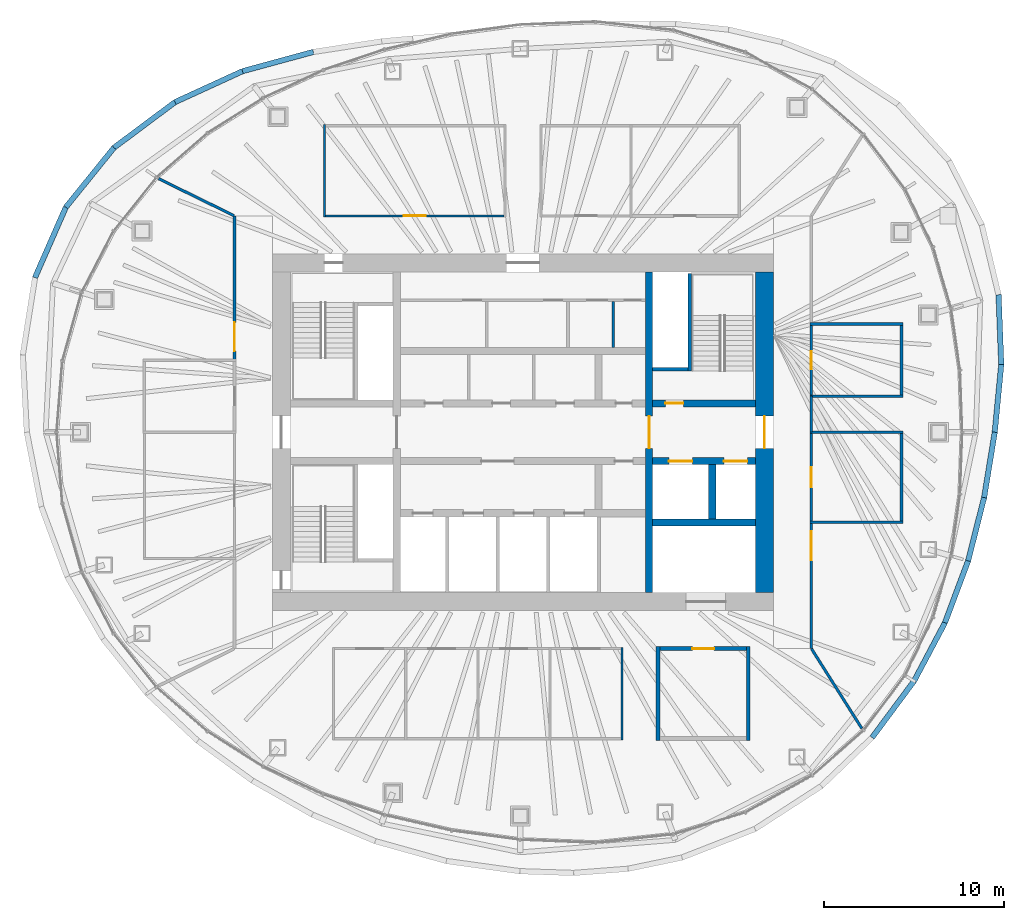
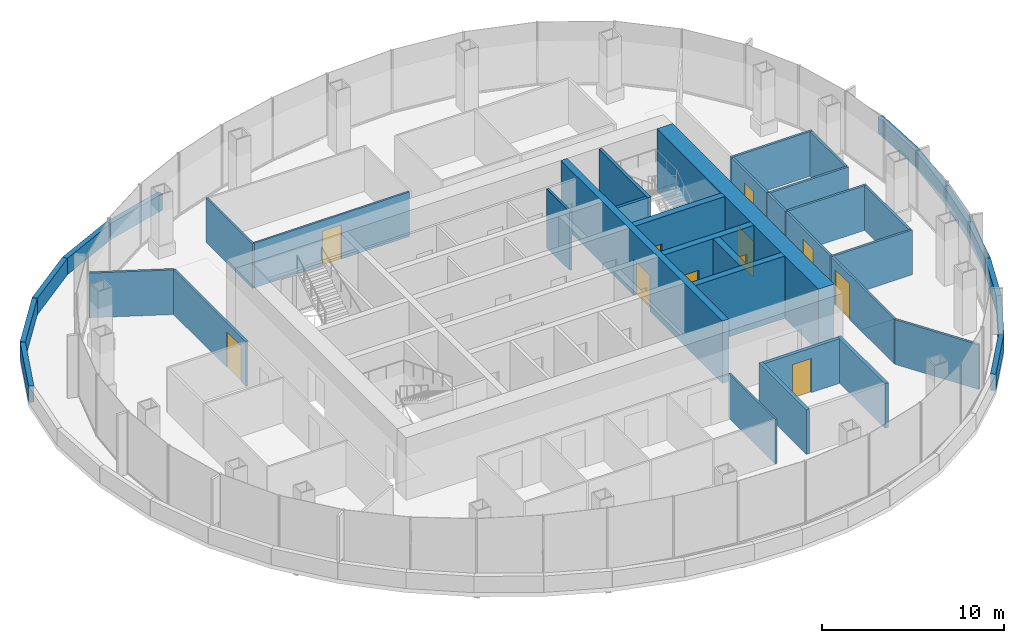
# One storey, part 11 of 13: 40 walls, 11 doors, 11 openings.
"""IFC4 building model written with IfcOpenShell, lengths in metres."""

from ifc_helpers import new_model, si_unit, direction, frame, frame_2d, origin, place, context, subcontext, project, spatial, rectangle, extrude, material, layer, layer_set, type_object, element, fill, save


model = new_model("IFC4")

# Units and contexts
model_context = context("Model", 3, precision=1e-05, world=origin(), true_north=direction((0.0, 1.0)))
body_context = subcontext(model_context, "Body", "Model", "MODEL_VIEW")
ifc_project = project(units=[si_unit("LENGTHUNIT", "METRE"), si_unit("AREAUNIT", "SQUARE_METRE"), si_unit("VOLUMEUNIT", "CUBIC_METRE"), si_unit("PLANEANGLEUNIT", "RADIAN"), si_unit("MASSUNIT", "GRAM", prefix="KILO")], contexts=[model_context])

# Site, building, storey
site_placement = place(None, origin())
site = spatial("IfcSite", under=ifc_project, at=site_placement, CompositionType="ELEMENT")
building_placement = place(site_placement, origin())
building = spatial("IfcBuilding", under=site, at=building_placement, Name="Ghaith Harvest Tower", CompositionType="ELEMENT")
storey_placement = place(building_placement, frame((0.0, 0.0, 271.199951171875)))
storey = spatial("IfcBuildingStorey", under=building, at=storey_placement, Name="L60", CompositionType="ELEMENT", Elevation=271.199951171875)

# Walls
ifc_material_1 = material(Name="Concrete blockwork, 1-hour", Category="masonry")
ifc_layer_1 = layer(ifc_material_1, 0.215087890625)
ifc_layer_set_1 = layer_set([ifc_layer_1], Name="BLOCKWORK WALL 215")
wall_type_1 = type_object("IfcWallType", Name="BLOCKWORK WALL 215", PredefinedType="PARTITIONING", material=ifc_layer_set_1)
for number, where, z_axis, x_axis, name in (
    (1, (7.5, -11.892578125, 0.0), (0.0, 0.0, 1.0), (0.0, -1.0, 0.0), "Partition L60 row S4 cross wall 1"),
    (2, (12.5, -11.892578125, 0.0), (0.0, 0.0, 1.0), (0.0, -1.0, 0.0), "Partition L60 row S4 cross wall 2"),
):
    element("IfcWall", number, at=place(storey_placement, frame(where, z_axis=z_axis, x_axis=x_axis)), inside=storey, type_object=wall_type_1, Name=name, PredefinedType="PARTITIONING", context=body_context, shape_type="SweptSolid", body=[
        extrude(rectangle(XDim=5.21484375, YDim=0.215087890625, at=frame_2d((2.607421875, 0.0))), origin(), (0.0, 0.0, 1.0), 3.0),
    ])

# Wall, opening, door
wall_1_placement = place(storey_placement, frame((7.607421875, -12.0, 0.0), z_axis=(0.0, 0.0, 1.0), x_axis=(1.0, 0.0, 0.0)))
wall_1 = element("IfcWall", 3, at=wall_1_placement, inside=storey, type_object=wall_type_1, Name="Partition L60-08", PredefinedType="PARTITIONING", context=body_context, shape_type="SweptSolid", body=[
    extrude(rectangle(XDim=4.78515625, YDim=0.215087890625, at=frame_2d((2.392578125, 0.0))), origin(), (0.0, 0.0, 1.0), 3.0),
])
opening_1_placement = place(wall_1_placement, frame((1.79248046875, 0.0, 0.0)))
opening_1 = element("IfcOpeningElement", 4, at=opening_1_placement, cuts=wall_1, Name="Opening 60-033", PredefinedType="OPENING", context=body_context, shape_type="SweptSolid", body=[
    extrude(rectangle(XDim=1.199951171875, YDim=2.300048828125, at=frame_2d((0.60009765625, 1.14990234375))), frame((0.0, 0.11767578125, 0.0), z_axis=(0.0, -1.0, 0.0), x_axis=(1.0, 0.0, 0.0)), (0.0, 0.0, 1.0), 0.235107421875),
])
ifc_material_2 = material(Name="Timber door with vision panel", Category="wood")
door_type_1 = type_object("IfcDoorType", Name="D15 LABORATORY 1200x2300", OperationType="SINGLE_SWING_LEFT", PredefinedType="DOOR", material=ifc_material_2)
door_1_placement = place(opening_1_placement, origin())
door_1 = element("IfcDoor", 5, at=door_1_placement, inside=storey, type_object=door_type_1, Name="Autoclave room door", OperationType="SINGLE_SWING_LEFT", OverallHeight=2.300048828125, OverallWidth=1.199951171875, PredefinedType="DOOR", context=body_context, shape_type="SweptSolid", body=[
    extrude(rectangle(XDim=1.199951171875, YDim=2.300048828125, at=frame_2d((0.60009765625, 1.14990234375))), frame((0.0, 0.02490234375, 0.0), z_axis=(0.0, -1.0, 0.0), x_axis=(1.0, 0.0, 0.0)), (0.0, 0.0, 1.0), 0.050048828125),
])
fill(opening_1, door_1)

# Wall
ifc_material_3 = material(Name="Concrete blockwork, fair-faced", Category="masonry")
ifc_layer_2 = layer(ifc_material_3, 0.139892578125)
ifc_layer_set_2 = layer_set([ifc_layer_2], Name="CORE PARTITION 140")
wall_type_2 = type_object("IfcWallType", Name="CORE PARTITION 140", PredefinedType="PARTITIONING", material=ifc_layer_set_2)
wall_2_placement = place(storey_placement, frame((5.0, 4.699951171875, 0.0), z_axis=(0.0, 0.0, 1.0), x_axis=(0.0, 1.0, 0.0)))
element("IfcWall", 6, at=wall_2_placement, inside=storey, type_object=wall_type_2, Name="Core partition L60", PredefinedType="PARTITIONING", context=body_context, shape_type="SweptSolid", body=[
    extrude(rectangle(XDim=2.56005859375, YDim=0.139892578125, at=frame_2d((1.280029296875, 0.0))), origin(), (0.0, 0.0, 1.0), 3.949951171875),
])

# Wall, opening, door
ifc_material_4 = material(Name="Concrete C50/60", Category="concrete")
ifc_layer_3 = layer(ifc_material_4, 1.0)
ifc_layer_set_3 = layer_set([ifc_layer_3], Name="CORE WALL CW1000")
wall_type_3 = type_object("IfcWallType", Name="CORE WALL CW1000", PredefinedType="SHEAR", material=ifc_layer_set_3)
wall_3_placement = place(storey_placement, frame((13.39990234375, -8.89990234375, 0.0), z_axis=(0.0, 0.0, 1.0), x_axis=(0.0, 1.0, 0.0)))
wall_3 = element("IfcWall", 7, at=wall_3_placement, inside=storey, type_object=wall_type_3, Name="Core wall E L60", PredefinedType="SHEAR", context=body_context, shape_type="SweptSolid", body=[
    extrude(rectangle(XDim=17.7998046875, YDim=1.0, at=frame_2d((8.89990234375, 0.0))), origin(), (0.0, 0.0, 1.0), 4.199951171875),
])
opening_2_placement = place(wall_3_placement, frame((8.0, 0.0, 0.0)))
opening_2 = element("IfcOpeningElement", 8, at=opening_2_placement, cuts=wall_3, Name="Opening 60-002", PredefinedType="OPENING", context=body_context, shape_type="SweptSolid", body=[
    extrude(rectangle(XDim=1.800048828125, YDim=2.39990234375, at=frame_2d((0.89990234375, 1.199951171875))), frame((0.0, 0.510009765625, 0.0), z_axis=(0.0, -1.0, 0.0), x_axis=(1.0, 0.0, 0.0)), (0.0, 0.0, 1.0), 1.02001953125),
])
ifc_material_5 = material(Name="Steel fire door", Category="steel")
door_type_2 = type_object("IfcDoorType", Name="D4 FD90 PAIR 1800x2400", OperationType="DOUBLE_DOOR_SINGLE_SWING", PredefinedType="DOOR", material=ifc_material_5)
door_2_placement = place(opening_2_placement, origin())
door_2 = element("IfcDoor", 9, at=door_2_placement, inside=storey, type_object=door_type_2, Name="Fire-fighting lobby doors", OperationType="DOUBLE_DOOR_SINGLE_SWING", OverallHeight=2.39990234375, OverallWidth=1.800048828125, PredefinedType="DOOR", context=body_context, shape_type="SweptSolid", body=[
    extrude(rectangle(XDim=1.800048828125, YDim=2.39990234375, at=frame_2d((0.89990234375, 1.199951171875))), frame((0.0, 0.02490234375, 0.0), z_axis=(0.0, -1.0, 0.0), x_axis=(1.0, 0.0, 0.0)), (0.0, 0.0, 1.0), 0.050048828125),
])
fill(opening_2, door_2)

# Wall
ifc_material_6 = material(Name="Insulated food-grade panel", Category="steel")
ifc_layer_4 = layer(ifc_material_6, 0.1201171875)
ifc_layer_set_4 = layer_set([ifc_layer_4], Name="INSULATED PANEL WALL 120")
wall_type_4 = type_object("IfcWallType", Name="INSULATED PANEL WALL 120", PredefinedType="PARTITIONING", material=ifc_layer_set_4)
wall_4_placement = place(storey_placement, frame((-11.0, 11.93994140625, 0.0), z_axis=(0.0, 0.0, 1.0), x_axis=(0.0, 1.0, 0.0)))
element("IfcWall", 10, at=wall_4_placement, inside=storey, type_object=wall_type_4, Name="Partition L60 row N1 cross wall 1", PredefinedType="PARTITIONING", context=body_context, shape_type="SweptSolid", body=[
    extrude(rectangle(XDim=5.1201171875, YDim=0.1201171875, at=frame_2d((2.56005859375, 0.0))), origin(), (0.0, 0.0, 1.0), 3.0),
])

# Wall, opening, door
wall_5_placement = place(storey_placement, frame((-10.93994140625, 12.0, 0.0), z_axis=(0.0, 0.0, 1.0), x_axis=(1.0, 0.0, 0.0)))
wall_5 = element("IfcWall", 11, at=wall_5_placement, inside=storey, type_object=wall_type_4, Name="Partition L60-01", PredefinedType="PARTITIONING", context=body_context, shape_type="SweptSolid", body=[
    extrude(rectangle(XDim=9.8798828125, YDim=0.1201171875, at=frame_2d((4.93994140625, 0.0))), origin(), (0.0, 0.0, 1.0), 3.0),
])
opening_3_placement = place(wall_5_placement, frame((4.340087890625, 0.0, 0.0)))
opening_3 = element("IfcOpeningElement", 12, at=opening_3_placement, cuts=wall_5, Name="Opening 60-026", PredefinedType="OPENING", context=body_context, shape_type="SweptSolid", body=[
    extrude(rectangle(XDim=1.199951171875, YDim=2.300048828125, at=frame_2d((0.60009765625, 1.14990234375))), frame((0.0, 0.070068359375, 0.0), z_axis=(0.0, -1.0, 0.0), x_axis=(1.0, 0.0, 0.0)), (0.0, 0.0, 1.0), 0.14013671875),
])
door_3_placement = place(opening_3_placement, origin())
door_3 = element("IfcDoor", 13, at=door_3_placement, inside=storey, type_object=door_type_1, Name="Tissue culture laboratory door", OperationType="SINGLE_SWING_LEFT", OverallHeight=2.300048828125, OverallWidth=1.199951171875, PredefinedType="DOOR", context=body_context, shape_type="SweptSolid", body=[
    extrude(rectangle(XDim=1.199951171875, YDim=2.300048828125, at=frame_2d((0.60009765625, 1.14990234375))), frame((0.0, 0.02490234375, 0.0), z_axis=(0.0, -1.0, 0.0), x_axis=(1.0, 0.0, 0.0)), (0.0, 0.0, 1.0), 0.050048828125),
])
fill(opening_3, door_3)

# Walls
wall_6_placement = place(storey_placement, frame((5.5, -11.93994140625, 0.0), z_axis=(0.0, 0.0, 1.0), x_axis=(0.0, -1.0, 0.0)))
element("IfcWall", 14, at=wall_6_placement, inside=storey, type_object=wall_type_4, Name="Partition L60 row S3 cross wall 5", PredefinedType="PARTITIONING", context=body_context, shape_type="SweptSolid", body=[
    extrude(rectangle(XDim=5.1201171875, YDim=0.1201171875, at=frame_2d((2.56005859375, 0.0))), origin(), (0.0, 0.0, 1.0), 3.0),
])
ifc_material_7 = material(Name="Concrete C40/50", Category="concrete")
ifc_layer_5 = layer(ifc_material_7, 0.300048828125)
ifc_layer_set_5 = layer_set([ifc_layer_5], Name="PARAPET 300")
wall_type_5 = type_object("IfcWallType", Name="PARAPET 300", PredefinedType="PARAPET", material=ifc_layer_set_5)
wall_7_placement = place(storey_placement, frame((26.175048828125, 0.0, 0.0), z_axis=(0.0, 0.0, 1.0), x_axis=(0.095898462501, 0.995391121565, 0.0)))
element("IfcWall", 15, at=wall_7_placement, inside=storey, type_object=wall_type_5, Name="Parapet 01.1 L60", PredefinedType="PARAPET", context=body_context, shape_type="SweptSolid", body=[
    extrude(rectangle(XDim=3.775390625, YDim=0.300048828125, at=frame_2d((1.8876953125, 0.0))), origin(), (0.0, 0.0, 1.0), 1.10009765625),
])
wall_8_placement = place(storey_placement, frame((26.537109375, 3.758056640625, 0.0), z_axis=(0.0, 0.0, 1.0), x_axis=(-0.038784302784, 0.99924760588, 0.0)))
element("IfcWall", 16, at=wall_8_placement, inside=storey, type_object=wall_type_5, Name="Parapet 01.2 L60", PredefinedType="PARAPET", context=body_context, shape_type="SweptSolid", body=[
    extrude(rectangle(XDim=3.871337890625, YDim=0.300048828125, at=frame_2d((1.935546875, 0.0))), origin(), (0.0, 0.0, 1.0), 1.10009765625),
])
wall_9_placement = place(storey_placement, frame((-11.6220703125, 21.10009765625, 0.0), z_axis=(0.0, 0.0, 1.0), x_axis=(-0.964883960715, -0.262676497529, 0.0)))
element("IfcWall", 17, at=wall_9_placement, inside=storey, type_object=wall_type_5, Name="Parapet 07.2 L60", PredefinedType="PARAPET", context=body_context, shape_type="SweptSolid", body=[
    extrude(rectangle(XDim=4.076416015625, YDim=0.300048828125, at=frame_2d((2.0380859375, 0.0))), origin(), (0.0, 0.0, 1.0), 1.10009765625),
])
wall_10_placement = place(storey_placement, frame((-15.555419921875, 20.029296875, 0.0), z_axis=(0.0, 0.0, 1.0), x_axis=(-0.909054531589, -0.416677163518, 0.0)))
element("IfcWall", 18, at=wall_10_placement, inside=storey, type_object=wall_type_5, Name="Parapet 08.1 L60", PredefinedType="PARAPET", context=body_context, shape_type="SweptSolid", body=[
    extrude(rectangle(XDim=4.118408203125, YDim=0.300048828125, at=frame_2d((2.05908203125, 0.0))), origin(), (0.0, 0.0, 1.0), 1.10009765625),
])
wall_11_placement = place(storey_placement, frame((-19.29931640625, 18.313232421875, 0.0), z_axis=(0.0, 0.0, 1.0), x_axis=(-0.801453362937, -0.598057277388, 0.0)))
element("IfcWall", 19, at=wall_11_placement, inside=storey, type_object=wall_type_5, Name="Parapet 08.2 L60", PredefinedType="PARAPET", context=body_context, shape_type="SweptSolid", body=[
    extrude(rectangle(XDim=4.226318359375, YDim=0.300048828125, at=frame_2d((2.11328125, 0.0))), origin(), (0.0, 0.0, 1.0), 1.10009765625),
])
wall_12_placement = place(storey_placement, frame((-22.6865234375, 15.78564453125, 0.0), z_axis=(0.0, 0.0, 1.0), x_axis=(-0.628639342044, -0.777696970313, 0.0)))
element("IfcWall", 20, at=wall_12_placement, inside=storey, type_object=wall_type_5, Name="Parapet 09.1 L60", PredefinedType="PARAPET", context=body_context, shape_type="SweptSolid", body=[
    extrude(rectangle(XDim=4.248779296875, YDim=0.300048828125, at=frame_2d((2.12451171875, 0.0))), origin(), (0.0, 0.0, 1.0), 1.10009765625),
])
wall_13_placement = place(storey_placement, frame((-25.357421875, 12.4814453125, 0.0), z_axis=(0.0, 0.0, 1.0), x_axis=(-0.401476889427, -0.915869154004, 0.0)))
element("IfcWall", 21, at=wall_13_placement, inside=storey, type_object=wall_type_5, Name="Parapet 09.2 L60", PredefinedType="PARAPET", context=body_context, shape_type="SweptSolid", body=[
    extrude(rectangle(XDim=4.26171875, YDim=0.300048828125, at=frame_2d((2.130859375, 0.0))), origin(), (0.0, 0.0, 1.0), 1.10009765625),
])
wall_14_placement = place(storey_placement, frame((19.37109375, -16.93798828125, 0.0), z_axis=(0.0, 0.0, 1.0), x_axis=(0.595955042577, 0.803017800069, 0.0)))
element("IfcWall", 22, at=wall_14_placement, inside=storey, type_object=wall_type_5, Name="Parapet 18.2 L60", PredefinedType="PARAPET", context=body_context, shape_type="SweptSolid", body=[
    extrude(rectangle(XDim=3.899169921875, YDim=0.300048828125, at=frame_2d((1.94970703125, 0.0))), origin(), (0.0, 0.0, 1.0), 1.10009765625),
])
wall_15_placement = place(storey_placement, frame((21.69482421875, -13.806884765625, 0.0), z_axis=(0.0, 0.0, 1.0), x_axis=(0.468588498899, 0.883416560123, 0.0)))
element("IfcWall", 23, at=wall_15_placement, inside=storey, type_object=wall_type_5, Name="Parapet 19.1 L60", PredefinedType="PARAPET", context=body_context, shape_type="SweptSolid", body=[
    extrude(rectangle(XDim=3.664794921875, YDim=0.300048828125, at=frame_2d((1.83251953125, 0.0))), origin(), (0.0, 0.0, 1.0), 1.10009765625),
])
wall_16_placement = place(storey_placement, frame((23.412109375, -10.5693359375, 0.0), z_axis=(0.0, 0.0, 1.0), x_axis=(0.350539221845, 0.93654805213, 0.0)))
element("IfcWall", 24, at=wall_16_placement, inside=storey, type_object=wall_type_5, Name="Parapet 19.2 L60", PredefinedType="PARAPET", context=body_context, shape_type="SweptSolid", body=[
    extrude(rectangle(XDim=3.6640625, YDim=0.300048828125, at=frame_2d((1.83203125, 0.0))), origin(), (0.0, 0.0, 1.0), 1.10009765625),
])
wall_17_placement = place(storey_placement, frame((24.696533203125, -7.1376953125, 0.0), z_axis=(0.0, 0.0, 1.0), x_axis=(0.245276056577, 0.969453276889, 0.0)))
element("IfcWall", 25, at=wall_17_placement, inside=storey, type_object=wall_type_5, Name="Parapet 20.1 L60", PredefinedType="PARAPET", context=body_context, shape_type="SweptSolid", body=[
    extrude(rectangle(XDim=3.625244140625, YDim=0.300048828125, at=frame_2d((1.8125, 0.0))), origin(), (0.0, 0.0, 1.0), 1.10009765625),
])
wall_18_placement = place(storey_placement, frame((25.585693359375, -3.623291015625, 0.0), z_axis=(0.0, 0.0, 1.0), x_axis=(0.160547527745, 0.987028110712, 0.0)))
element("IfcWall", 26, at=wall_18_placement, inside=storey, type_object=wall_type_5, Name="Parapet 20.2 L60", PredefinedType="PARAPET", context=body_context, shape_type="SweptSolid", body=[
    extrude(rectangle(XDim=3.6708984375, YDim=0.300048828125, at=frame_2d((1.83544921875, 0.0))), origin(), (0.0, 0.0, 1.0), 1.10009765625),
])
ifc_material_8 = material(Name="Gypsum board on steel studs", Category="steel")
ifc_layer_6 = layer(ifc_material_8, 0.14990234375)
ifc_layer_set_6 = layer_set([ifc_layer_6], Name="PARTITION 150")
wall_type_6 = type_object("IfcWallType", Name="PARTITION 150", PredefinedType="PARTITIONING", material=ifc_layer_set_6)
for number, where, z_axis, x_axis, name in (
    (27, (15.925048828125, -5.0, 0.0), (0.0, 0.0, 1.0), (1.0, 0.0, 0.0), "Partition L60 row E6 cross wall 1"),
    (28, (15.925048828125, 0.0, 0.0), (0.0, 0.0, 1.0), (1.0, 0.0, 0.0), "Partition L60 row E6 cross wall 2"),
):
    element("IfcWall", number, at=place(storey_placement, frame(where, z_axis=z_axis, x_axis=x_axis)), inside=storey, type_object=wall_type_6, Name=name, PredefinedType="PARTITIONING", context=body_context, shape_type="SweptSolid", body=[
        extrude(rectangle(XDim=5.14990234375, YDim=0.14990234375, at=frame_2d((2.574951171875, 0.0))), origin(), (0.0, 0.0, 1.0), 3.0),
    ])

# Wall, opening, door
wall_19_placement = place(storey_placement, frame((16.0, -4.925048828125, 0.0), z_axis=(0.0, 0.0, 1.0), x_axis=(0.0, 1.0, 0.0)))
wall_19 = element("IfcWall", 29, at=wall_19_placement, inside=storey, type_object=wall_type_6, Name="Partition L60-11", PredefinedType="PARTITIONING", context=body_context, shape_type="SweptSolid", body=[
    extrude(rectangle(XDim=4.85009765625, YDim=0.14990234375, at=frame_2d((2.425048828125, 0.0))), origin(), (0.0, 0.0, 1.0), 3.0),
])
opening_4_placement = place(wall_19_placement, frame((1.875, 0.0, 0.0)))
opening_4 = element("IfcOpeningElement", 30, at=opening_4_placement, cuts=wall_19, Name="Opening 60-036", PredefinedType="OPENING", context=body_context, shape_type="SweptSolid", body=[
    extrude(rectangle(XDim=1.10009765625, YDim=2.300048828125, at=frame_2d((0.550048828125, 1.14990234375))), frame((0.0, 0.0849609375, 0.0), z_axis=(0.0, -1.0, 0.0), x_axis=(1.0, 0.0, 0.0)), (0.0, 0.0, 1.0), 0.169921875),
])
ifc_material_9 = material(Name="Timber-framed glazed door", Category="wood")
door_type_3 = type_object("IfcDoorType", Name="D12 GLAZED OFFICE 1100x2300", OperationType="SINGLE_SWING_LEFT", PredefinedType="DOOR", material=ifc_material_9)
door_4_placement = place(opening_4_placement, origin())
door_4 = element("IfcDoor", 31, at=door_4_placement, inside=storey, type_object=door_type_3, Name="Crop office door", OperationType="SINGLE_SWING_LEFT", OverallHeight=2.300048828125, OverallWidth=1.10009765625, PredefinedType="DOOR", context=body_context, shape_type="SweptSolid", body=[
    extrude(rectangle(XDim=1.10009765625, YDim=2.300048828125, at=frame_2d((0.550048828125, 1.14990234375))), frame((0.0, 0.02490234375, 0.0), z_axis=(0.0, -1.0, 0.0), x_axis=(1.0, 0.0, 0.0)), (0.0, 0.0, 1.0), 0.050048828125),
])
fill(opening_4, door_4)

# Walls
wall_20_placement = place(storey_placement, frame((21.0, -4.925048828125, 0.0), z_axis=(0.0, 0.0, 1.0), x_axis=(0.0, 1.0, 0.0)))
element("IfcWall", 32, at=wall_20_placement, inside=storey, type_object=wall_type_6, Name="Partition L60-11", PredefinedType="PARTITIONING", context=body_context, shape_type="SweptSolid", body=[
    extrude(rectangle(XDim=4.85009765625, YDim=0.14990234375, at=frame_2d((2.425048828125, 0.0))), origin(), (0.0, 0.0, 1.0), 3.0),
])
for number, where, z_axis, x_axis, name in (
    (33, (15.925048828125, 2.0, 0.0), (0.0, 0.0, 1.0), (1.0, 0.0, 0.0), "Partition L60 row E7 cross wall 1"),
    (34, (15.925048828125, 6.0, 0.0), (0.0, 0.0, 1.0), (1.0, 0.0, 0.0), "Partition L60 row E7 cross wall 2"),
):
    element("IfcWall", number, at=place(storey_placement, frame(where, z_axis=z_axis, x_axis=x_axis)), inside=storey, type_object=wall_type_6, Name=name, PredefinedType="PARTITIONING", context=body_context, shape_type="SweptSolid", body=[
        extrude(rectangle(XDim=5.14990234375, YDim=0.14990234375, at=frame_2d((2.574951171875, 0.0))), origin(), (0.0, 0.0, 1.0), 3.0),
    ])

# Wall, opening, door
wall_21_placement = place(storey_placement, frame((16.0, 2.074951171875, 0.0), z_axis=(0.0, 0.0, 1.0), x_axis=(0.0, 1.0, 0.0)))
wall_21 = element("IfcWall", 35, at=wall_21_placement, inside=storey, type_object=wall_type_6, Name="Partition L60-12", PredefinedType="PARTITIONING", context=body_context, shape_type="SweptSolid", body=[
    extrude(rectangle(XDim=3.85009765625, YDim=0.14990234375, at=frame_2d((1.925048828125, 0.0))), origin(), (0.0, 0.0, 1.0), 3.0),
])
opening_5_placement = place(wall_21_placement, frame((1.425048828125, 0.0, 0.0)))
opening_5 = element("IfcOpeningElement", 36, at=opening_5_placement, cuts=wall_21, Name="Opening 60-037", PredefinedType="OPENING", context=body_context, shape_type="SweptSolid", body=[
    extrude(rectangle(XDim=1.0, YDim=2.199951171875, at=frame_2d((0.5, 1.10009765625))), frame((0.0, 0.0849609375, 0.0), z_axis=(0.0, -1.0, 0.0), x_axis=(1.0, 0.0, 0.0)), (0.0, 0.0, 1.0), 0.169921875),
])
ifc_material_10 = material(Name="Timber door", Category="wood")
door_type_4 = type_object("IfcDoorType", Name="D1 SINGLE 1000x2200", OperationType="SINGLE_SWING_LEFT", PredefinedType="DOOR", material=ifc_material_10)
door_5_placement = place(opening_5_placement, origin())
door_5 = element("IfcDoor", 37, at=door_5_placement, inside=storey, type_object=door_type_4, Name="Microscopy room door", OperationType="SINGLE_SWING_LEFT", OverallHeight=2.199951171875, OverallWidth=1.0, PredefinedType="DOOR", context=body_context, shape_type="SweptSolid", body=[
    extrude(rectangle(XDim=1.0, YDim=2.199951171875, at=frame_2d((0.5, 1.10009765625))), frame((0.0, 0.02490234375, 0.0), z_axis=(0.0, -1.0, 0.0), x_axis=(1.0, 0.0, 0.0)), (0.0, 0.0, 1.0), 0.050048828125),
])
fill(opening_5, door_5)

# Walls
wall_22_placement = place(storey_placement, frame((21.0, 2.074951171875, 0.0), z_axis=(0.0, 0.0, 1.0), x_axis=(0.0, 1.0, 0.0)))
element("IfcWall", 38, at=wall_22_placement, inside=storey, type_object=wall_type_6, Name="Partition L60-12", PredefinedType="PARTITIONING", context=body_context, shape_type="SweptSolid", body=[
    extrude(rectangle(XDim=3.85009765625, YDim=0.14990234375, at=frame_2d((1.925048828125, 0.0))), origin(), (0.0, 0.0, 1.0), 3.0),
])
wall_23_placement = place(storey_placement, frame((-16.017822265625, 12.0087890625, 0.0), z_axis=(0.0, 0.0, 1.0), x_axis=(-0.897771840996, 0.440460805879, 0.0)))
element("IfcWall", 39, at=wall_23_placement, inside=storey, type_object=wall_type_6, Name="Partition L60 zone division", PredefinedType="PARTITIONING", context=body_context, shape_type="SweptSolid", body=[
    extrude(rectangle(XDim=4.66552734375, YDim=0.14990234375, at=frame_2d((2.332763671875, 0.0))), origin(), (0.0, 0.0, 1.0), 3.0),
])
wall_24_placement = place(storey_placement, frame((16.0107421875, -12.016845703125, 0.0), z_axis=(0.0, 0.0, 1.0), x_axis=(0.53415837449, -0.845384427916, 0.0)))
element("IfcWall", 40, at=wall_24_placement, inside=storey, type_object=wall_type_6, Name="Partition L60 zone division", PredefinedType="PARTITIONING", context=body_context, shape_type="SweptSolid", body=[
    extrude(rectangle(XDim=5.220458984375, YDim=0.14990234375, at=frame_2d((2.6103515625, 0.0))), origin(), (0.0, 0.0, 1.0), 3.0),
])

# Wall, opening, door
wall_25_placement = place(storey_placement, frame((16.0, -12.0, 0.0), z_axis=(0.0, 0.0, 1.0), x_axis=(0.0, 1.0, 0.0)))
wall_25 = element("IfcWall", 41, at=wall_25_placement, inside=storey, type_object=wall_type_6, Name="Partition L60 zone enclosure", PredefinedType="PARTITIONING", context=body_context, shape_type="SweptSolid", body=[
    extrude(rectangle(XDim=7.0, YDim=0.14990234375, at=frame_2d((3.5, 0.0))), origin(), (0.0, 0.0, 1.0), 3.0),
])
opening_6_placement = place(wall_25_placement, frame((4.89990234375, 0.0, 0.0)))
opening_6 = element("IfcOpeningElement", 42, at=opening_6_placement, cuts=wall_25, Name="Opening 60-038", PredefinedType="OPENING", context=body_context, shape_type="SweptSolid", body=[
    extrude(rectangle(XDim=1.60009765625, YDim=2.39990234375, at=frame_2d((0.800048828125, 1.199951171875))), frame((0.0, 0.0849609375, 0.0), z_axis=(0.0, -1.0, 0.0), x_axis=(1.0, 0.0, 0.0)), (0.0, 0.0, 1.0), 0.169921875),
])
ifc_material_11 = material(Name="Timber door", Category="wood")
door_type_5 = type_object("IfcDoorType", Name="D2 PAIR 1600x2400", OperationType="DOUBLE_DOOR_SINGLE_SWING", PredefinedType="DOOR", material=ifc_material_11)
door_6_placement = place(opening_6_placement, origin())
door_6 = element("IfcDoor", 43, at=door_6_placement, inside=storey, type_object=door_type_5, Name="Tissue culture growing area east door", OperationType="DOUBLE_DOOR_SINGLE_SWING", OverallHeight=2.39990234375, OverallWidth=1.60009765625, PredefinedType="DOOR", context=body_context, shape_type="SweptSolid", body=[
    extrude(rectangle(XDim=1.60009765625, YDim=2.39990234375, at=frame_2d((0.800048828125, 1.199951171875))), frame((0.0, 0.02490234375, 0.0), z_axis=(0.0, -1.0, 0.0), x_axis=(1.0, 0.0, 0.0)), (0.0, 0.0, 1.0), 0.050048828125),
])
fill(opening_6, door_6)

# Wall
wall_26_placement = place(storey_placement, frame((16.0, 0.0, 0.0), z_axis=(0.0, 0.0, 1.0), x_axis=(0.0, 1.0, 0.0)))
element("IfcWall", 44, at=wall_26_placement, inside=storey, type_object=wall_type_6, Name="Partition L60 zone enclosure", PredefinedType="PARTITIONING", context=body_context, shape_type="SweptSolid", body=[
    extrude(rectangle(XDim=2.0, YDim=0.14990234375, at=frame_2d((1.0, 0.0))), origin(), (0.0, 0.0, 1.0), 3.0),
])

# Wall, opening, door
wall_27_placement = place(storey_placement, frame((-16.0, 12.0, 0.0), z_axis=(0.0, 0.0, 1.0), x_axis=(0.0, -1.0, 0.0)))
wall_27 = element("IfcWall", 45, at=wall_27_placement, inside=storey, type_object=wall_type_6, Name="Partition L60 zone enclosure", PredefinedType="PARTITIONING", context=body_context, shape_type="SweptSolid", body=[
    extrude(rectangle(XDim=8.0, YDim=0.14990234375, at=frame_2d((4.0, 0.0))), origin(), (0.0, 0.0, 1.0), 3.0),
])
opening_7_placement = place(wall_27_placement, frame((5.89990234375, 0.0, 0.0)))
opening_7 = element("IfcOpeningElement", 46, at=opening_7_placement, cuts=wall_27, Name="Opening 60-039", PredefinedType="OPENING", context=body_context, shape_type="SweptSolid", body=[
    extrude(rectangle(XDim=1.60009765625, YDim=2.39990234375, at=frame_2d((0.800048828125, 1.199951171875))), frame((0.0, 0.0849609375, 0.0), z_axis=(0.0, -1.0, 0.0), x_axis=(1.0, 0.0, 0.0)), (0.0, 0.0, 1.0), 0.169921875),
])
door_7_placement = place(opening_7_placement, origin())
door_7 = element("IfcDoor", 47, at=door_7_placement, inside=storey, type_object=door_type_5, Name="Tissue culture growing area west door", OperationType="DOUBLE_DOOR_SINGLE_SWING", OverallHeight=2.39990234375, OverallWidth=1.60009765625, PredefinedType="DOOR", context=body_context, shape_type="SweptSolid", body=[
    extrude(rectangle(XDim=1.60009765625, YDim=2.39990234375, at=frame_2d((0.800048828125, 1.199951171875))), frame((0.0, 0.02490234375, 0.0), z_axis=(0.0, -1.0, 0.0), x_axis=(1.0, 0.0, 0.0)), (0.0, 0.0, 1.0), 0.050048828125),
])
fill(opening_7, door_7)

ifc_material_12 = material(Name="Concrete C70/85", Category="concrete")
ifc_layer_7 = layer(ifc_material_12, 0.39990234375)
ifc_layer_set_7 = layer_set([ifc_layer_7], Name="SHAFT WALL 400")
wall_type_7 = type_object("IfcWallType", Name="SHAFT WALL 400", PredefinedType="SHEAR", material=ifc_layer_set_7)
wall_28_placement = place(storey_placement, frame((7.0, -8.89990234375, 0.0), z_axis=(0.0, 0.0, 1.0), x_axis=(0.0, 1.0, 0.0)))
wall_28 = element("IfcWall", 48, at=wall_28_placement, inside=storey, type_object=wall_type_7, Name="Shaft wall W7E L60", PredefinedType="SHEAR", context=body_context, shape_type="SweptSolid", body=[
    extrude(rectangle(XDim=17.7998046875, YDim=0.39990234375, at=frame_2d((8.89990234375, 0.0))), origin(), (0.0, 0.0, 1.0), 4.199951171875),
])
opening_8_placement = place(wall_28_placement, frame((8.0, 0.0, 0.0)))
opening_8 = element("IfcOpeningElement", 49, at=opening_8_placement, cuts=wall_28, Name="Opening 60-004", PredefinedType="OPENING", context=body_context, shape_type="SweptSolid", body=[
    extrude(rectangle(XDim=1.800048828125, YDim=2.39990234375, at=frame_2d((0.89990234375, 1.199951171875))), frame((0.0, 0.2099609375, 0.0), z_axis=(0.0, -1.0, 0.0), x_axis=(1.0, 0.0, 0.0)), (0.0, 0.0, 1.0), 0.419921875),
])
door_8_placement = place(opening_8_placement, origin())
door_8 = element("IfcDoor", 50, at=door_8_placement, inside=storey, type_object=door_type_2, Name="Lift lobby doors, east", OperationType="DOUBLE_DOOR_SINGLE_SWING", OverallHeight=2.39990234375, OverallWidth=1.800048828125, PredefinedType="DOOR", context=body_context, shape_type="SweptSolid", body=[
    extrude(rectangle(XDim=1.800048828125, YDim=2.39990234375, at=frame_2d((0.89990234375, 1.199951171875))), frame((0.0, 0.02490234375, 0.0), z_axis=(0.0, -1.0, 0.0), x_axis=(1.0, 0.0, 0.0)), (0.0, 0.0, 1.0), 0.050048828125),
])
fill(opening_8, door_8)

wall_29_placement = place(storey_placement, frame((7.199951171875, 1.60009765625, 0.0), z_axis=(0.0, 0.0, 1.0), x_axis=(1.0, 0.0, 0.0)))
wall_29 = element("IfcWall", 51, at=wall_29_placement, inside=storey, type_object=wall_type_7, Name="Shaft wall EN L60", PredefinedType="SHEAR", context=body_context, shape_type="SweptSolid", body=[
    extrude(rectangle(XDim=5.699951171875, YDim=0.39990234375, at=frame_2d((2.85009765625, 0.0))), origin(), (0.0, 0.0, 1.0), 4.199951171875),
])
opening_9_placement = place(wall_29_placement, frame((0.699951171875, 0.0, 0.0)))
opening_9 = element("IfcOpeningElement", 52, at=opening_9_placement, cuts=wall_29, Name="Opening 60-007", PredefinedType="OPENING", context=body_context, shape_type="SweptSolid", body=[
    extrude(rectangle(XDim=1.0, YDim=2.39990234375, at=frame_2d((0.5, 1.199951171875))), frame((0.0, 0.2099609375, 0.0), z_axis=(0.0, -1.0, 0.0), x_axis=(1.0, 0.0, 0.0)), (0.0, 0.0, 1.0), 0.419921875),
])
ifc_material_13 = material(Name="Steel fire door", Category="steel")
door_type_6 = type_object("IfcDoorType", Name="D3 FD90 1000x2400", OperationType="SINGLE_SWING_LEFT", PredefinedType="DOOR", material=ifc_material_13)
door_9_placement = place(opening_9_placement, origin())
door_9 = element("IfcDoor", 53, at=door_9_placement, inside=storey, type_object=door_type_6, Name="Stair ST2 door", OperationType="SINGLE_SWING_LEFT", OverallHeight=2.39990234375, OverallWidth=1.0, PredefinedType="DOOR", context=body_context, shape_type="SweptSolid", body=[
    extrude(rectangle(XDim=1.0, YDim=2.39990234375, at=frame_2d((0.5, 1.199951171875))), frame((0.0, 0.02490234375, 0.0), z_axis=(0.0, -1.0, 0.0), x_axis=(1.0, 0.0, 0.0)), (0.0, 0.0, 1.0), 0.050048828125),
])
fill(opening_9, door_9)

# Wall, openings, doors
wall_30_placement = place(storey_placement, frame((7.199951171875, -1.60009765625, 0.0), z_axis=(0.0, 0.0, 1.0), x_axis=(1.0, 0.0, 0.0)))
wall_30 = element("IfcWall", 54, at=wall_30_placement, inside=storey, type_object=wall_type_7, Name="Shaft wall ES L60", PredefinedType="SHEAR", context=body_context, shape_type="SweptSolid", body=[
    extrude(rectangle(XDim=5.699951171875, YDim=0.39990234375, at=frame_2d((2.85009765625, 0.0))), origin(), (0.0, 0.0, 1.0), 4.199951171875),
])
opening_10_placement = place(wall_30_placement, frame((0.89990234375, 0.0, 0.0)))
opening_10 = element("IfcOpeningElement", 55, at=opening_10_placement, cuts=wall_30, Name="Opening 60-023", PredefinedType="OPENING", context=body_context, shape_type="SweptSolid", body=[
    extrude(rectangle(XDim=1.300048828125, YDim=2.39990234375, at=frame_2d((0.64990234375, 1.199951171875))), frame((0.0, 0.2099609375, 0.0), z_axis=(0.0, -1.0, 0.0), x_axis=(1.0, 0.0, 0.0)), (0.0, 0.0, 1.0), 0.419921875),
])
opening_11_placement = place(wall_30_placement, frame((3.949951171875, 0.0, 0.0)))
opening_11 = element("IfcOpeningElement", 56, at=opening_11_placement, cuts=wall_30, Name="Opening 60-024", PredefinedType="OPENING", context=body_context, shape_type="SweptSolid", body=[
    extrude(rectangle(XDim=1.300048828125, YDim=2.39990234375, at=frame_2d((0.64990234375, 1.199951171875))), frame((0.0, 0.2099609375, 0.0), z_axis=(0.0, -1.0, 0.0), x_axis=(1.0, 0.0, 0.0)), (0.0, 0.0, 1.0), 0.419921875),
])
ifc_material_14 = material(Name="Steel fire door", Category="steel")
door_type_7 = type_object("IfcDoorType", Name="LD2 LANDING 1300x2400", OperationType="DOUBLE_DOOR_SLIDING", PredefinedType="DOOR", material=ifc_material_14)
door_10_placement = place(opening_10_placement, origin())
door_10 = element("IfcDoor", 57, at=door_10_placement, inside=storey, type_object=door_type_7, Name="Landing door, fire service lift FL1", OperationType="DOUBLE_DOOR_SLIDING", OverallHeight=2.39990234375, OverallWidth=1.300048828125, PredefinedType="DOOR", context=body_context, shape_type="SweptSolid", body=[
    extrude(rectangle(XDim=1.300048828125, YDim=2.39990234375, at=frame_2d((0.64990234375, 1.199951171875))), frame((0.0, 0.02490234375, 0.0), z_axis=(0.0, -1.0, 0.0), x_axis=(1.0, 0.0, 0.0)), (0.0, 0.0, 1.0), 0.050048828125),
])
fill(opening_10, door_10)
door_11_placement = place(opening_11_placement, origin())
door_11 = element("IfcDoor", 58, at=door_11_placement, inside=storey, type_object=door_type_7, Name="Landing door, fire service lift FL2", OperationType="DOUBLE_DOOR_SLIDING", OverallHeight=2.39990234375, OverallWidth=1.300048828125, PredefinedType="DOOR", context=body_context, shape_type="SweptSolid", body=[
    extrude(rectangle(XDim=1.300048828125, YDim=2.39990234375, at=frame_2d((0.64990234375, 1.199951171875))), frame((0.0, 0.02490234375, 0.0), z_axis=(0.0, -1.0, 0.0), x_axis=(1.0, 0.0, 0.0)), (0.0, 0.0, 1.0), 0.050048828125),
])
fill(opening_11, door_11)

# Walls
wall_31_placement = place(storey_placement, frame((10.5, -4.800048828125, 0.0), z_axis=(0.0, 0.0, 1.0), x_axis=(0.0, 1.0, 0.0)))
element("IfcWall", 59, at=wall_31_placement, inside=storey, type_object=wall_type_7, Name="Shaft wall FLD L60", PredefinedType="SHEAR", context=body_context, shape_type="SweptSolid", body=[
    extrude(rectangle(XDim=3.0, YDim=0.39990234375, at=frame_2d((1.5, 0.0))), origin(), (0.0, 0.0, 1.0), 4.199951171875),
])
wall_32_placement = place(storey_placement, frame((7.199951171875, -5.0, 0.0), z_axis=(0.0, 0.0, 1.0), x_axis=(1.0, 0.0, 0.0)))
element("IfcWall", 60, at=wall_32_placement, inside=storey, type_object=wall_type_7, Name="Shaft wall FLB L60", PredefinedType="SHEAR", context=body_context, shape_type="SweptSolid", body=[
    extrude(rectangle(XDim=5.699951171875, YDim=0.39990234375, at=frame_2d((2.85009765625, 0.0))), origin(), (0.0, 0.0, 1.0), 4.199951171875),
])
ifc_material_15 = material(Name="Concrete C40/50", Category="concrete")
ifc_layer_8 = layer(ifc_material_15, 0.199951171875)
ifc_layer_set_8 = layer_set([ifc_layer_8], Name="STAIR SPINE WALL RC200")
wall_type_8 = type_object("IfcWallType", Name="STAIR SPINE WALL RC200", PredefinedType="SOLIDWALL", material=ifc_layer_set_8)
wall_33_placement = place(storey_placement, frame((9.25, 3.39990234375, 0.0), z_axis=(0.0, 0.0, 1.0), x_axis=(0.0, 1.0, 0.0)))
element("IfcWall", 61, at=wall_33_placement, inside=storey, type_object=wall_type_8, Name="Stair ST2 spine wall L60", PredefinedType="SOLIDWALL", context=body_context, shape_type="SweptSolid", body=[
    extrude(rectangle(XDim=5.400146484375, YDim=0.199951171875, at=frame_2d((2.7001953125, 0.0))), origin(), (0.0, 0.0, 1.0), 4.199951171875),
])
wall_34_placement = place(storey_placement, frame((9.14990234375, 3.5, 0.0), z_axis=(0.0, 0.0, 1.0), x_axis=(-1.0, 0.0, 0.0)))
element("IfcWall", 62, at=wall_34_placement, inside=storey, type_object=wall_type_8, Name="Stair ST2 spine wall return L60", PredefinedType="SOLIDWALL", context=body_context, shape_type="SweptSolid", body=[
    extrude(rectangle(XDim=1.949951171875, YDim=0.199951171875, at=frame_2d((0.97509765625, 0.0))), origin(), (0.0, 0.0, 1.0), 4.199951171875),
])

save(model, "model.ifc")
